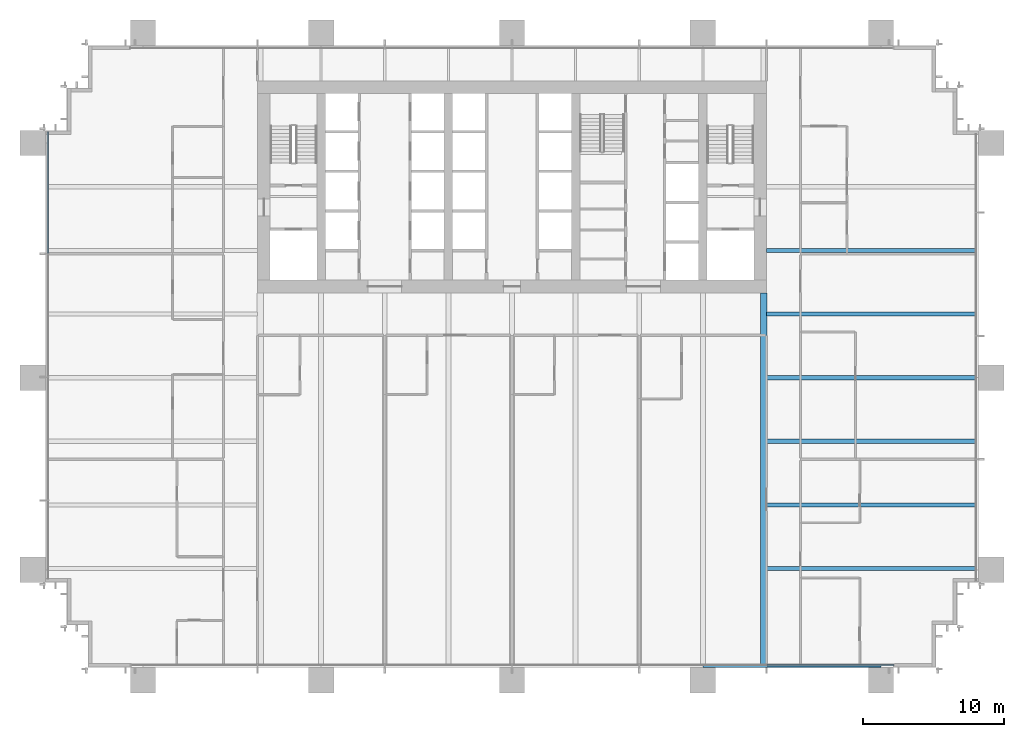
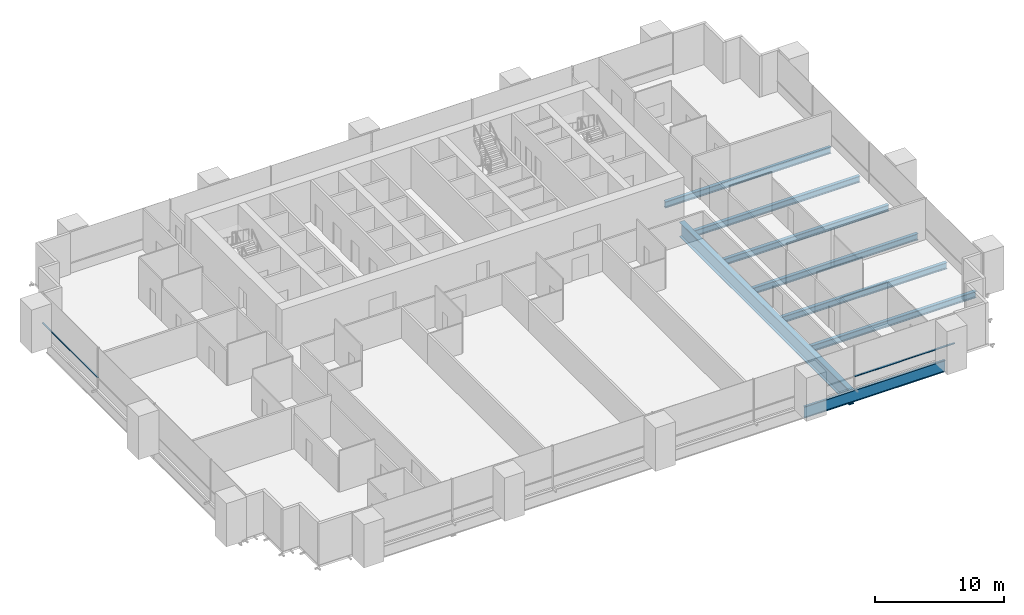
# One storey, part 6 of 17: 8 beams, 2 members, 2 elements without a shape of their own.
"""IFC4 building model written with IfcOpenShell, lengths in metres."""

from ifc_helpers import new_model, si_unit, direction, frame, origin, origin_2d, place, context, subcontext, project, spatial, rectangle, i_section, extrude, material, material_profile, profile_set, type_object, element, aggregate, save


model = new_model("IFC4")

# Units and contexts
model_context = context("Model", 3, precision=1e-05, world=origin(), true_north=direction((0.0, 1.0)))
body_context = subcontext(model_context, "Body", "Model", "MODEL_VIEW")
ifc_project = project(units=[si_unit("LENGTHUNIT", "METRE"), si_unit("AREAUNIT", "SQUARE_METRE"), si_unit("VOLUMEUNIT", "CUBIC_METRE"), si_unit("PLANEANGLEUNIT", "RADIAN"), si_unit("MASSUNIT", "GRAM", prefix="KILO")], contexts=[model_context])

# Site, building, storey
site_placement = place(None, origin())
site = spatial("IfcSite", under=ifc_project, at=site_placement, CompositionType="ELEMENT")
building_placement = place(site_placement, origin())
building = spatial("IfcBuilding", under=site, at=building_placement, Name="Rattan Terrace Tower", CompositionType="ELEMENT")
storey_placement = place(building_placement, frame((0.0, 0.0, 61.10009765625)))
storey = spatial("IfcBuildingStorey", under=building, at=storey_placement, Name="L13", CompositionType="ELEMENT", Elevation=61.10009765625)

# Curtain wall, member
ifc_material_1 = material(Name="Aluminium and glass", Category="aluminium")
curtain_wall_type = type_object("IfcCurtainWallType", Name="Facade Unitised Curtain Wall", PredefinedType="NOTDEFINED", material=ifc_material_1)
curtain_wall_1_placement = place(storey_placement, origin())
curtain_wall_1 = element("IfcCurtainWall", 1, at=curtain_wall_1_placement, inside=storey, type_object=curtain_wall_type, Name="Curtain wall L13-3", PredefinedType="NOTDEFINED")
ifc_material_2 = material(Name="Aluminium", Category="aluminium")
ifc_material_profile_1 = material_profile(ifc_material_2, rectangle(XDim=0.1201171875, YDim=0.06005859375, at=origin_2d()), Name="Aluminium 120x60")
ifc_profile_set_1 = profile_set([ifc_material_profile_1], Name="Aluminium")
member_type = type_object("IfcMemberType", Name="Facade CW Transom 120x60", PredefinedType="USERDEFINED", material=ifc_profile_set_1)
member_1_placement = place(storey_placement, frame((-32.830078125, 3.89501953125, 1.0), z_axis=(0.0, -1.0, 0.0), x_axis=(1.0, 0.0, 0.0)))
member_1 = element("IfcMember", 2, at=member_1_placement, type_object=member_type, Name="Transom cwl-L13-003.1", ObjectType="TRANSOM", PredefinedType="USERDEFINED", context=body_context, shape_type="SweptSolid", body=[
    extrude(rectangle(XDim=0.1201171875, YDim=0.06005859375, at=origin_2d()), origin(), (0.0, 0.0, 1.0), 8.592041015625),
])
aggregate(curtain_wall_1, [member_1])

curtain_wall_2_placement = place(storey_placement, origin())
curtain_wall_2 = element("IfcCurtainWall", 3, at=curtain_wall_2_placement, inside=storey, type_object=curtain_wall_type, Name="Curtain wall L13-4", PredefinedType="NOTDEFINED")
member_2_placement = place(storey_placement, frame((18.030029296875, -33.830078125, 1.0), z_axis=(1.0, 0.0, 0.0), x_axis=(0.0, 1.0, 0.0)))
member_2 = element("IfcMember", 4, at=member_2_placement, type_object=member_type, Name="Transom cwl-L13-004.6", ObjectType="TRANSOM", PredefinedType="USERDEFINED", context=body_context, shape_type="SweptSolid", body=[
    extrude(rectangle(XDim=0.1201171875, YDim=0.06005859375, at=origin_2d()), origin(), (0.0, 0.0, 1.0), 8.969970703125),
])
aggregate(curtain_wall_2, [member_2])

# Beams
ifc_material_3 = material(Name="Steel S460", Category="steel")
ifc_material_profile_2 = material_profile(ifc_material_3, i_section(OverallWidth=0.449951171875, OverallDepth=1.39990234375, WebThickness=0.02197265625, FlangeThickness=0.054931640625, at=origin_2d()), Name="PG 1400x450-22-55")
ifc_profile_set_2 = profile_set([ifc_material_profile_2], Name="Steel S460")
beam_type_1 = type_object("IfcBeamType", Name="Frame core girder PG 1400x450-22-55", PredefinedType="BEAM", material=ifc_profile_set_2)
beam_1_placement = place(storey_placement, frame((17.800048828125, -33.820068359375, -0.900146484375), z_axis=(0.0, 1.0, 0.0), x_axis=(-1.0, 0.0, 0.0)))
element("IfcBeam", 5, at=beam_1_placement, inside=storey, type_object=beam_type_1, Name="gdr-L13-014", PredefinedType="BEAM", context=body_context, shape_type="SweptSolid", body=[
    extrude(i_section(OverallWidth=0.449951171875, OverallDepth=1.39990234375, WebThickness=0.02197265625, FlangeThickness=0.054931640625, at=origin_2d()), origin(), (0.0, 0.0, 1.0), 26.320068359375),
])
ifc_material_4 = material(Name="Steel S460", Category="steel")
ifc_material_profile_3 = material_profile(ifc_material_4, i_section(OverallWidth=0.179931640625, OverallDepth=1.10009765625, WebThickness=0.01611328125, FlangeThickness=0.050048828125, at=origin_2d()), Name="PG 1100x180-16-50")
ifc_profile_set_3 = profile_set([ifc_material_profile_3], Name="Steel S460")
beam_type_2 = type_object("IfcBeamType", Name="Frame edge girder PG 1100x180-16-50", PredefinedType="SPANDREL", material=ifc_profile_set_3)
beam_2_placement = place(storey_placement, frame((13.5, -33.909912109375, -0.75), z_axis=(1.0, 0.0, 0.0), x_axis=(0.0, 1.0, 0.0)))
element("IfcBeam", 6, at=beam_2_placement, inside=storey, type_object=beam_type_2, Name="gdr-L13-004", PredefinedType="SPANDREL", context=body_context, shape_type="SweptSolid", body=[
    extrude(i_section(OverallWidth=0.179931640625, OverallDepth=1.10009765625, WebThickness=0.01611328125, FlangeThickness=0.050048828125, at=origin_2d()), origin(), (0.0, 0.0, 1.0), 12.60009765625),
])
ifc_material_5 = material(Name="Steel S355", Category="steel")
ifc_material_profile_4 = material_profile(ifc_material_5, i_section(OverallWidth=0.300048828125, OverallDepth=0.60009765625, WebThickness=0.015380859375, FlangeThickness=0.030029296875, FilletRadius=0.027099609375, at=origin_2d()), Name="HE 600 B")
ifc_profile_set_4 = profile_set([ifc_material_profile_4], Name="Steel S355")
beam_type_3 = type_object("IfcBeamType", Name="Frame floor beam HE 600 B", PredefinedType="JOIST", material=ifc_profile_set_4)
for number, where, z_axis, x_axis, name in (
    (7, (18.0, -27.0, -0.5), (1.0, 0.0, 0.0), (0.0, 1.0, 0.0), "bm-L13-011"),
    (8, (18.0, -22.5, -0.5), (1.0, 0.0, 0.0), (0.0, 1.0, 0.0), "bm-L13-013"),
    (9, (18.0, -18.0, -0.5), (1.0, 0.0, 0.0), (0.0, 1.0, 0.0), "bm-L13-015"),
    (10, (18.0, -13.5, -0.5), (1.0, 0.0, 0.0), (0.0, 1.0, 0.0), "bm-L13-017"),
    (11, (18.0, -9.0, -0.5), (1.0, 0.0, 0.0), (0.0, 1.0, 0.0), "bm-L13-019"),
    (12, (18.0, -4.5, -0.5), (1.0, 0.0, 0.0), (0.0, 1.0, 0.0), "bm-L13-021"),
):
    element("IfcBeam", number, at=place(storey_placement, frame(where, z_axis=z_axis, x_axis=x_axis)), inside=storey, type_object=beam_type_3, Name=name, PredefinedType="JOIST", context=body_context, shape_type="SweptSolid", body=[
        extrude(i_section(OverallWidth=0.300048828125, OverallDepth=0.60009765625, WebThickness=0.015380859375, FlangeThickness=0.030029296875, FilletRadius=0.027099609375, at=origin_2d()), origin(), (0.0, 0.0, 1.0), 14.820068359375),
    ])

save(model, "model.ifc")
